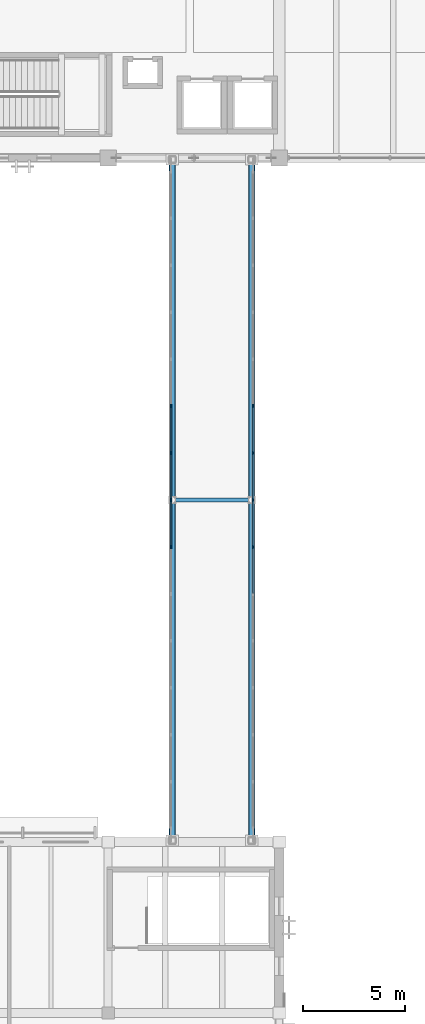
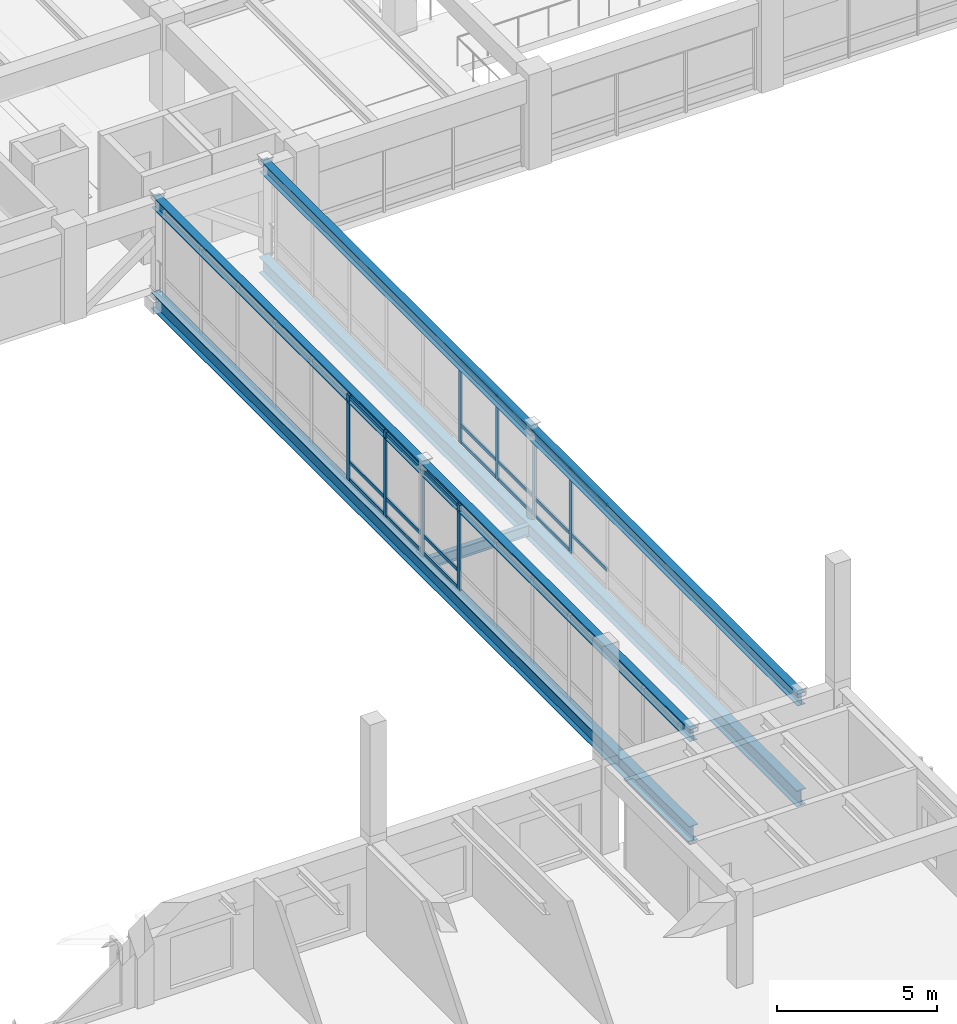
# One storey, part 26 of 118: 28 members, 5 beams, 2 elements without a shape of their own.
"""IFC4 building model written with IfcOpenShell, lengths in metres."""

from ifc_helpers import new_model, si_unit, direction, frame, origin, origin_2d, place, context, subcontext, project, spatial, rectangle, i_section, extrude, material, material_profile, profile_set, type_object, element, aggregate, save


model = new_model("IFC4")

# Units and contexts
model_context = context("Model", 3, precision=1e-05, world=origin(), true_north=direction((0.0, 1.0)))
body_context = subcontext(model_context, "Body", "Model", "MODEL_VIEW")
ifc_project = project(units=[si_unit("LENGTHUNIT", "METRE"), si_unit("AREAUNIT", "SQUARE_METRE"), si_unit("VOLUMEUNIT", "CUBIC_METRE"), si_unit("PLANEANGLEUNIT", "RADIAN"), si_unit("MASSUNIT", "GRAM", prefix="KILO")], contexts=[model_context])

# Site, building, storey
site_placement = place(None, origin())
site = spatial("IfcSite", under=ifc_project, at=site_placement, CompositionType="ELEMENT")
building_placement = place(site_placement, origin())
building = spatial("IfcBuilding", under=site, at=building_placement, Name="Cumbredor Promenade Congress Hotel", CompositionType="ELEMENT")
storey_placement = place(building_placement, frame((0.0, 0.0, 3.919921875)))
storey = spatial("IfcBuildingStorey", under=building, at=storey_placement, Name="L01", CompositionType="ELEMENT", Elevation=3.919921875)

# Beams
ifc_material_1 = material(Name="Steel ASTM A992 Grade 50", Category="steel")
ifc_material_profile_1 = material_profile(ifc_material_1, i_section(OverallWidth=0.323974609375, OverallDepth=0.611083984375, WebThickness=0.0126953125, FlangeThickness=0.01904296875, at=origin_2d()), Name="W24X104")
ifc_profile_set_1 = profile_set([ifc_material_profile_1], Name="Steel ASTM A992 Grade 50")
beam_type_1 = type_object("IfcBeamType", Name="BM-W24X104", PredefinedType="BEAM", material=ifc_profile_set_1)
for number, where, z_axis, x_axis, name in (
    (1, (103.949951171875, 50.360107421875, -0.525390625), (0.0, 1.0, 0.0), (-1.0, 0.0, 0.0), "L01 Central Reflecting-Pool Promenade Bridge Edge Girder 1"),
    (2, (107.85009765625, 50.360107421875, -0.525390625), (0.0, 1.0, 0.0), (-1.0, 0.0, 0.0), "L01 Central Reflecting-Pool Promenade Bridge Edge Girder 2"),
):
    element("IfcBeam", number, at=place(storey_placement, frame(where, z_axis=z_axis, x_axis=x_axis)), inside=storey, type_object=beam_type_1, Name=name, PredefinedType="BEAM", context=body_context, shape_type="SweptSolid", body=[
        extrude(i_section(OverallWidth=0.323974609375, OverallDepth=0.611083984375, WebThickness=0.0126953125, FlangeThickness=0.01904296875, at=origin_2d()), origin(), (0.0, 0.0, 1.0), 33.679931640625),
    ])

# Curtain wall, members
ifc_material_2 = material(Name="Thermally broken anodized aluminium and low-E glass", Category="aluminium")
curtain_wall_type = type_object("IfcCurtainWallType", Name="Unitised Bridge Glazing Screen CW-05", PredefinedType="NOTDEFINED", material=ifc_material_2)
curtain_wall_1_placement = place(storey_placement, origin())
curtain_wall_1 = element("IfcCurtainWall", 3, at=curtain_wall_1_placement, inside=storey, type_object=curtain_wall_type, Name="L01 Central Reflecting-Pool Promenade Bridge West Glazing Screen", PredefinedType="NOTDEFINED")
ifc_material_3 = material(Name="Thermally broken anodized aluminium", Category="aluminium")
ifc_material_profile_2 = material_profile(ifc_material_3, rectangle(XDim=0.06494140625, YDim=0.159912109375, at=origin_2d()), Name="ALU MULLION 65x160")
ifc_profile_set_2 = profile_set([ifc_material_profile_2], Name="Thermally broken anodized aluminium")
member_type_1 = type_object("IfcMemberType", Name="Curtain Wall Mullion ML-01", PredefinedType="MULLION", material=ifc_profile_set_2)
member_1_placement = place(storey_placement, frame((103.8798828125, 64.894287109375, -0.0078125), z_axis=(0.0, 0.0, 1.0), x_axis=(1.0, 0.0, 0.0)))
member_1 = element("IfcMember", 4, at=member_1_placement, type_object=member_type_1, Name="L01 Central Reflecting-Pool Promenade Bridge West Glazing Screen Mullion 7", PredefinedType="MULLION", context=body_context, shape_type="SweptSolid", body=[
    extrude(rectangle(XDim=0.06494140625, YDim=0.159912109375, at=origin_2d()), origin(), (0.0, 0.0, 1.0), 3.27587890625),
])
member_2_placement = place(storey_placement, frame((103.8798828125, 67.199951171875, -0.0078125), z_axis=(0.0, 0.0, 1.0), x_axis=(1.0, 0.0, 0.0)))
member_2 = element("IfcMember", 5, at=member_2_placement, type_object=member_type_1, Name="L01 Central Reflecting-Pool Promenade Bridge West Glazing Screen Mullion 8", PredefinedType="MULLION", context=body_context, shape_type="SweptSolid", body=[
    extrude(rectangle(XDim=0.06494140625, YDim=0.159912109375, at=origin_2d()), origin(), (0.0, 0.0, 1.0), 3.27587890625),
])
member_3_placement = place(storey_placement, frame((103.8798828125, 69.505615234375, -0.0078125), z_axis=(0.0, 0.0, 1.0), x_axis=(1.0, 0.0, 0.0)))
member_3 = element("IfcMember", 6, at=member_3_placement, type_object=member_type_1, Name="L01 Central Reflecting-Pool Promenade Bridge West Glazing Screen Mullion 9", PredefinedType="MULLION", context=body_context, shape_type="SweptSolid", body=[
    extrude(rectangle(XDim=0.06494140625, YDim=0.159912109375, at=origin_2d()), origin(), (0.0, 0.0, 1.0), 3.27587890625),
])
member_4_placement = place(storey_placement, frame((103.8798828125, 71.811279296875, -0.0078125), z_axis=(0.0, 0.0, 1.0), x_axis=(1.0, 0.0, 0.0)))
member_4 = element("IfcMember", 7, at=member_4_placement, type_object=member_type_1, Name="L01 Central Reflecting-Pool Promenade Bridge West Glazing Screen Mullion 10", PredefinedType="MULLION", context=body_context, shape_type="SweptSolid", body=[
    extrude(rectangle(XDim=0.06494140625, YDim=0.159912109375, at=origin_2d()), origin(), (0.0, 0.0, 1.0), 3.27587890625),
])

curtain_wall_2_placement = place(storey_placement, origin())
curtain_wall_2 = element("IfcCurtainWall", 8, at=curtain_wall_2_placement, inside=storey, type_object=curtain_wall_type, Name="L01 Central Reflecting-Pool Promenade Bridge East Glazing Screen", PredefinedType="NOTDEFINED")
member_5_placement = place(storey_placement, frame((107.919921875, 64.894287109375, -0.0078125), z_axis=(0.0, 0.0, 1.0), x_axis=(1.0, 0.0, 0.0)))
member_5 = element("IfcMember", 9, at=member_5_placement, type_object=member_type_1, Name="L01 Central Reflecting-Pool Promenade Bridge East Glazing Screen Mullion 7", PredefinedType="MULLION", context=body_context, shape_type="SweptSolid", body=[
    extrude(rectangle(XDim=0.06494140625, YDim=0.159912109375, at=origin_2d()), origin(), (0.0, 0.0, 1.0), 3.27587890625),
])
member_6_placement = place(storey_placement, frame((107.919921875, 67.199951171875, -0.0078125), z_axis=(0.0, 0.0, 1.0), x_axis=(1.0, 0.0, 0.0)))
member_6 = element("IfcMember", 10, at=member_6_placement, type_object=member_type_1, Name="L01 Central Reflecting-Pool Promenade Bridge East Glazing Screen Mullion 8", PredefinedType="MULLION", context=body_context, shape_type="SweptSolid", body=[
    extrude(rectangle(XDim=0.06494140625, YDim=0.159912109375, at=origin_2d()), origin(), (0.0, 0.0, 1.0), 3.27587890625),
])
member_7_placement = place(storey_placement, frame((107.919921875, 69.505615234375, -0.0078125), z_axis=(0.0, 0.0, 1.0), x_axis=(1.0, 0.0, 0.0)))
member_7 = element("IfcMember", 11, at=member_7_placement, type_object=member_type_1, Name="L01 Central Reflecting-Pool Promenade Bridge East Glazing Screen Mullion 9", PredefinedType="MULLION", context=body_context, shape_type="SweptSolid", body=[
    extrude(rectangle(XDim=0.06494140625, YDim=0.159912109375, at=origin_2d()), origin(), (0.0, 0.0, 1.0), 3.27587890625),
])
member_8_placement = place(storey_placement, frame((107.919921875, 71.811279296875, -0.0078125), z_axis=(0.0, 0.0, 1.0), x_axis=(1.0, 0.0, 0.0)))
member_8 = element("IfcMember", 12, at=member_8_placement, type_object=member_type_1, Name="L01 Central Reflecting-Pool Promenade Bridge East Glazing Screen Mullion 10", PredefinedType="MULLION", context=body_context, shape_type="SweptSolid", body=[
    extrude(rectangle(XDim=0.06494140625, YDim=0.159912109375, at=origin_2d()), origin(), (0.0, 0.0, 1.0), 3.27587890625),
])

# Member
ifc_material_profile_3 = material_profile(ifc_material_3, rectangle(XDim=0.06494140625, YDim=0.1298828125, at=origin_2d()), Name="ALU TRANSOM 65x130")
ifc_profile_set_3 = profile_set([ifc_material_profile_3], Name="Thermally broken anodized aluminium")
member_type_2 = type_object("IfcMemberType", Name="Curtain Wall Transom TR-01", PredefinedType="USERDEFINED", material=ifc_profile_set_3)
member_9_placement = place(storey_placement, frame((103.8798828125, 64.9267578125, 0.06005859375), z_axis=(0.0, 1.0, 0.0), x_axis=(-1.0, 0.0, 0.0)))
member_9 = element("IfcMember", 13, at=member_9_placement, type_object=member_type_2, Name="L01 Central Reflecting-Pool Promenade Bridge West Glazing Screen Transom 7.1", ObjectType="TRANSOM", PredefinedType="USERDEFINED", context=body_context, shape_type="SweptSolid", body=[
    extrude(rectangle(XDim=0.06494140625, YDim=0.1298828125, at=origin_2d()), origin(), (0.0, 0.0, 1.0), 2.24072265625),
])

member_10_placement = place(storey_placement, frame((103.8798828125, 64.9267578125, 0.719970703125), z_axis=(0.0, 1.0, 0.0), x_axis=(-1.0, 0.0, 0.0)))
member_10 = element("IfcMember", 14, at=member_10_placement, type_object=member_type_2, Name="L01 Central Reflecting-Pool Promenade Bridge West Glazing Screen Transom 7.2", ObjectType="TRANSOM", PredefinedType="USERDEFINED", context=body_context, shape_type="SweptSolid", body=[
    extrude(rectangle(XDim=0.06494140625, YDim=0.1298828125, at=origin_2d()), origin(), (0.0, 0.0, 1.0), 2.24072265625),
])

member_11_placement = place(storey_placement, frame((103.8798828125, 64.9267578125, 3.190185546875), z_axis=(0.0, 1.0, 0.0), x_axis=(-1.0, 0.0, 0.0)))
member_11 = element("IfcMember", 15, at=member_11_placement, type_object=member_type_2, Name="L01 Central Reflecting-Pool Promenade Bridge West Glazing Screen Transom 7.3", ObjectType="TRANSOM", PredefinedType="USERDEFINED", context=body_context, shape_type="SweptSolid", body=[
    extrude(rectangle(XDim=0.06494140625, YDim=0.1298828125, at=origin_2d()), origin(), (0.0, 0.0, 1.0), 2.24072265625),
])

member_12_placement = place(storey_placement, frame((103.8798828125, 67.232421875, 0.06005859375), z_axis=(0.0, 1.0, 0.0), x_axis=(-1.0, 0.0, 0.0)))
member_12 = element("IfcMember", 16, at=member_12_placement, type_object=member_type_2, Name="L01 Central Reflecting-Pool Promenade Bridge West Glazing Screen Transom 8.1", ObjectType="TRANSOM", PredefinedType="USERDEFINED", context=body_context, shape_type="SweptSolid", body=[
    extrude(rectangle(XDim=0.06494140625, YDim=0.1298828125, at=origin_2d()), origin(), (0.0, 0.0, 1.0), 2.24072265625),
])

member_13_placement = place(storey_placement, frame((103.8798828125, 67.232421875, 0.719970703125), z_axis=(0.0, 1.0, 0.0), x_axis=(-1.0, 0.0, 0.0)))
member_13 = element("IfcMember", 17, at=member_13_placement, type_object=member_type_2, Name="L01 Central Reflecting-Pool Promenade Bridge West Glazing Screen Transom 8.2", ObjectType="TRANSOM", PredefinedType="USERDEFINED", context=body_context, shape_type="SweptSolid", body=[
    extrude(rectangle(XDim=0.06494140625, YDim=0.1298828125, at=origin_2d()), origin(), (0.0, 0.0, 1.0), 2.24072265625),
])

member_14_placement = place(storey_placement, frame((103.8798828125, 67.232421875, 3.190185546875), z_axis=(0.0, 1.0, 0.0), x_axis=(-1.0, 0.0, 0.0)))
member_14 = element("IfcMember", 18, at=member_14_placement, type_object=member_type_2, Name="L01 Central Reflecting-Pool Promenade Bridge West Glazing Screen Transom 8.3", ObjectType="TRANSOM", PredefinedType="USERDEFINED", context=body_context, shape_type="SweptSolid", body=[
    extrude(rectangle(XDim=0.06494140625, YDim=0.1298828125, at=origin_2d()), origin(), (0.0, 0.0, 1.0), 2.24072265625),
])

member_15_placement = place(storey_placement, frame((103.8798828125, 69.5380859375, 0.06005859375), z_axis=(0.0, 1.0, 0.0), x_axis=(-1.0, 0.0, 0.0)))
member_15 = element("IfcMember", 19, at=member_15_placement, type_object=member_type_2, Name="L01 Central Reflecting-Pool Promenade Bridge West Glazing Screen Transom 9.1", ObjectType="TRANSOM", PredefinedType="USERDEFINED", context=body_context, shape_type="SweptSolid", body=[
    extrude(rectangle(XDim=0.06494140625, YDim=0.1298828125, at=origin_2d()), origin(), (0.0, 0.0, 1.0), 2.24072265625),
])

member_16_placement = place(storey_placement, frame((103.8798828125, 69.5380859375, 0.719970703125), z_axis=(0.0, 1.0, 0.0), x_axis=(-1.0, 0.0, 0.0)))
member_16 = element("IfcMember", 20, at=member_16_placement, type_object=member_type_2, Name="L01 Central Reflecting-Pool Promenade Bridge West Glazing Screen Transom 9.2", ObjectType="TRANSOM", PredefinedType="USERDEFINED", context=body_context, shape_type="SweptSolid", body=[
    extrude(rectangle(XDim=0.06494140625, YDim=0.1298828125, at=origin_2d()), origin(), (0.0, 0.0, 1.0), 2.24072265625),
])

member_17_placement = place(storey_placement, frame((103.8798828125, 69.5380859375, 3.190185546875), z_axis=(0.0, 1.0, 0.0), x_axis=(-1.0, 0.0, 0.0)))
member_17 = element("IfcMember", 21, at=member_17_placement, type_object=member_type_2, Name="L01 Central Reflecting-Pool Promenade Bridge West Glazing Screen Transom 9.3", ObjectType="TRANSOM", PredefinedType="USERDEFINED", context=body_context, shape_type="SweptSolid", body=[
    extrude(rectangle(XDim=0.06494140625, YDim=0.1298828125, at=origin_2d()), origin(), (0.0, 0.0, 1.0), 2.24072265625),
])

aggregate(curtain_wall_1, [member_1, member_2, member_3, member_4, member_9, member_10, member_11, member_12, member_13, member_14, member_15, member_16, member_17])

member_18_placement = place(storey_placement, frame((107.919921875, 62.62109375, 0.719970703125), z_axis=(0.0, 1.0, 0.0), x_axis=(-1.0, 0.0, 0.0)))
member_18 = element("IfcMember", 22, at=member_18_placement, type_object=member_type_2, Name="L01 Central Reflecting-Pool Promenade Bridge East Glazing Screen Transom 6.2", ObjectType="TRANSOM", PredefinedType="USERDEFINED", context=body_context, shape_type="SweptSolid", body=[
    extrude(rectangle(XDim=0.06494140625, YDim=0.1298828125, at=origin_2d()), origin(), (0.0, 0.0, 1.0), 2.24072265625),
])

member_19_placement = place(storey_placement, frame((107.919921875, 62.62109375, 3.190185546875), z_axis=(0.0, 1.0, 0.0), x_axis=(-1.0, 0.0, 0.0)))
member_19 = element("IfcMember", 23, at=member_19_placement, type_object=member_type_2, Name="L01 Central Reflecting-Pool Promenade Bridge East Glazing Screen Transom 6.3", ObjectType="TRANSOM", PredefinedType="USERDEFINED", context=body_context, shape_type="SweptSolid", body=[
    extrude(rectangle(XDim=0.06494140625, YDim=0.1298828125, at=origin_2d()), origin(), (0.0, 0.0, 1.0), 2.24072265625),
])

member_20_placement = place(storey_placement, frame((107.919921875, 64.9267578125, 0.06005859375), z_axis=(0.0, 1.0, 0.0), x_axis=(-1.0, 0.0, 0.0)))
member_20 = element("IfcMember", 24, at=member_20_placement, type_object=member_type_2, Name="L01 Central Reflecting-Pool Promenade Bridge East Glazing Screen Transom 7.1", ObjectType="TRANSOM", PredefinedType="USERDEFINED", context=body_context, shape_type="SweptSolid", body=[
    extrude(rectangle(XDim=0.06494140625, YDim=0.1298828125, at=origin_2d()), origin(), (0.0, 0.0, 1.0), 2.24072265625),
])

member_21_placement = place(storey_placement, frame((107.919921875, 64.9267578125, 0.719970703125), z_axis=(0.0, 1.0, 0.0), x_axis=(-1.0, 0.0, 0.0)))
member_21 = element("IfcMember", 25, at=member_21_placement, type_object=member_type_2, Name="L01 Central Reflecting-Pool Promenade Bridge East Glazing Screen Transom 7.2", ObjectType="TRANSOM", PredefinedType="USERDEFINED", context=body_context, shape_type="SweptSolid", body=[
    extrude(rectangle(XDim=0.06494140625, YDim=0.1298828125, at=origin_2d()), origin(), (0.0, 0.0, 1.0), 2.24072265625),
])

member_22_placement = place(storey_placement, frame((107.919921875, 64.9267578125, 3.190185546875), z_axis=(0.0, 1.0, 0.0), x_axis=(-1.0, 0.0, 0.0)))
member_22 = element("IfcMember", 26, at=member_22_placement, type_object=member_type_2, Name="L01 Central Reflecting-Pool Promenade Bridge East Glazing Screen Transom 7.3", ObjectType="TRANSOM", PredefinedType="USERDEFINED", context=body_context, shape_type="SweptSolid", body=[
    extrude(rectangle(XDim=0.06494140625, YDim=0.1298828125, at=origin_2d()), origin(), (0.0, 0.0, 1.0), 2.24072265625),
])

member_23_placement = place(storey_placement, frame((107.919921875, 67.232421875, 0.06005859375), z_axis=(0.0, 1.0, 0.0), x_axis=(-1.0, 0.0, 0.0)))
member_23 = element("IfcMember", 27, at=member_23_placement, type_object=member_type_2, Name="L01 Central Reflecting-Pool Promenade Bridge East Glazing Screen Transom 8.1", ObjectType="TRANSOM", PredefinedType="USERDEFINED", context=body_context, shape_type="SweptSolid", body=[
    extrude(rectangle(XDim=0.06494140625, YDim=0.1298828125, at=origin_2d()), origin(), (0.0, 0.0, 1.0), 2.24072265625),
])

member_24_placement = place(storey_placement, frame((107.919921875, 67.232421875, 0.719970703125), z_axis=(0.0, 1.0, 0.0), x_axis=(-1.0, 0.0, 0.0)))
member_24 = element("IfcMember", 28, at=member_24_placement, type_object=member_type_2, Name="L01 Central Reflecting-Pool Promenade Bridge East Glazing Screen Transom 8.2", ObjectType="TRANSOM", PredefinedType="USERDEFINED", context=body_context, shape_type="SweptSolid", body=[
    extrude(rectangle(XDim=0.06494140625, YDim=0.1298828125, at=origin_2d()), origin(), (0.0, 0.0, 1.0), 2.24072265625),
])

member_25_placement = place(storey_placement, frame((107.919921875, 67.232421875, 3.190185546875), z_axis=(0.0, 1.0, 0.0), x_axis=(-1.0, 0.0, 0.0)))
member_25 = element("IfcMember", 29, at=member_25_placement, type_object=member_type_2, Name="L01 Central Reflecting-Pool Promenade Bridge East Glazing Screen Transom 8.3", ObjectType="TRANSOM", PredefinedType="USERDEFINED", context=body_context, shape_type="SweptSolid", body=[
    extrude(rectangle(XDim=0.06494140625, YDim=0.1298828125, at=origin_2d()), origin(), (0.0, 0.0, 1.0), 2.24072265625),
])

member_26_placement = place(storey_placement, frame((107.919921875, 69.5380859375, 0.06005859375), z_axis=(0.0, 1.0, 0.0), x_axis=(-1.0, 0.0, 0.0)))
member_26 = element("IfcMember", 30, at=member_26_placement, type_object=member_type_2, Name="L01 Central Reflecting-Pool Promenade Bridge East Glazing Screen Transom 9.1", ObjectType="TRANSOM", PredefinedType="USERDEFINED", context=body_context, shape_type="SweptSolid", body=[
    extrude(rectangle(XDim=0.06494140625, YDim=0.1298828125, at=origin_2d()), origin(), (0.0, 0.0, 1.0), 2.24072265625),
])

member_27_placement = place(storey_placement, frame((107.919921875, 69.5380859375, 0.719970703125), z_axis=(0.0, 1.0, 0.0), x_axis=(-1.0, 0.0, 0.0)))
member_27 = element("IfcMember", 31, at=member_27_placement, type_object=member_type_2, Name="L01 Central Reflecting-Pool Promenade Bridge East Glazing Screen Transom 9.2", ObjectType="TRANSOM", PredefinedType="USERDEFINED", context=body_context, shape_type="SweptSolid", body=[
    extrude(rectangle(XDim=0.06494140625, YDim=0.1298828125, at=origin_2d()), origin(), (0.0, 0.0, 1.0), 2.24072265625),
])

member_28_placement = place(storey_placement, frame((107.919921875, 69.5380859375, 3.190185546875), z_axis=(0.0, 1.0, 0.0), x_axis=(-1.0, 0.0, 0.0)))
member_28 = element("IfcMember", 32, at=member_28_placement, type_object=member_type_2, Name="L01 Central Reflecting-Pool Promenade Bridge East Glazing Screen Transom 9.3", ObjectType="TRANSOM", PredefinedType="USERDEFINED", context=body_context, shape_type="SweptSolid", body=[
    extrude(rectangle(XDim=0.06494140625, YDim=0.1298828125, at=origin_2d()), origin(), (0.0, 0.0, 1.0), 2.24072265625),
])

aggregate(curtain_wall_2, [member_5, member_6, member_7, member_8, member_18, member_19, member_20, member_21, member_22, member_23, member_24, member_25, member_26, member_27, member_28])

# Beams
ifc_material_profile_4 = material_profile(ifc_material_1, i_section(OverallWidth=0.180908203125, OverallDepth=0.4169921875, WebThickness=0.010986328125, FlangeThickness=0.018310546875, at=origin_2d()), Name="W16X57")
ifc_profile_set_4 = profile_set([ifc_material_profile_4], Name="Steel ASTM A992 Grade 50")
beam_type_2 = type_object("IfcBeamType", Name="JST-W16X57", PredefinedType="JOIST", material=ifc_profile_set_4)
beam_placement = place(storey_placement, frame((104.10009765625, 67.199951171875, -0.428466796875), z_axis=(1.0, 0.0, 0.0), x_axis=(0.0, 1.0, 0.0)))
element("IfcBeam", 33, at=beam_placement, inside=storey, type_object=beam_type_2, Name="L01 Central Reflecting-Pool Promenade Bridge Cross Beam", PredefinedType="JOIST", context=body_context, shape_type="SweptSolid", body=[
    extrude(i_section(OverallWidth=0.180908203125, OverallDepth=0.4169921875, WebThickness=0.010986328125, FlangeThickness=0.018310546875, at=origin_2d()), origin(), (0.0, 0.0, 1.0), 3.599853515625),
])
ifc_material_profile_5 = material_profile(ifc_material_1, i_section(OverallWidth=0.280029296875, OverallDepth=0.462890625, WebThickness=0.0107421875, FlangeThickness=0.017333984375, at=origin_2d()), Name="W18X76")
ifc_profile_set_5 = profile_set([ifc_material_profile_5], Name="Steel ASTM A992 Grade 50")
beam_type_3 = type_object("IfcBeamType", Name="JST-W18X76", PredefinedType="JOIST", material=ifc_profile_set_5)
for number, where, z_axis, x_axis, name in (
    (34, (103.949951171875, 50.360107421875, 3.24365234375), (0.0, 1.0, 0.0), (-1.0, 0.0, 0.0), "Central Reflecting-Pool Promenade Bridge Roof Edge Beam 1"),
    (35, (107.85009765625, 50.360107421875, 3.24365234375), (0.0, 1.0, 0.0), (-1.0, 0.0, 0.0), "Central Reflecting-Pool Promenade Bridge Roof Edge Beam 2"),
):
    element("IfcBeam", number, at=place(storey_placement, frame(where, z_axis=z_axis, x_axis=x_axis)), inside=storey, type_object=beam_type_3, Name=name, PredefinedType="JOIST", context=body_context, shape_type="SweptSolid", body=[
        extrude(i_section(OverallWidth=0.280029296875, OverallDepth=0.462890625, WebThickness=0.0107421875, FlangeThickness=0.017333984375, at=origin_2d()), origin(), (0.0, 0.0, 1.0), 33.679931640625),
    ])

save(model, "model.ifc")
